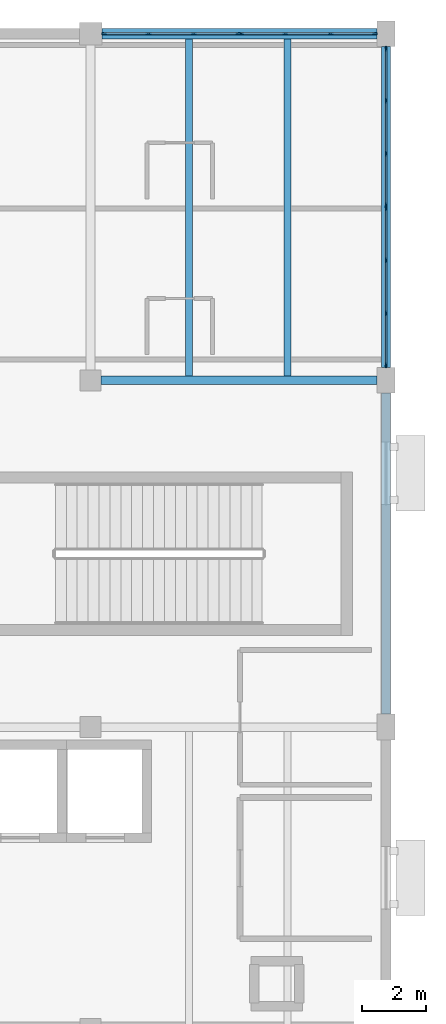
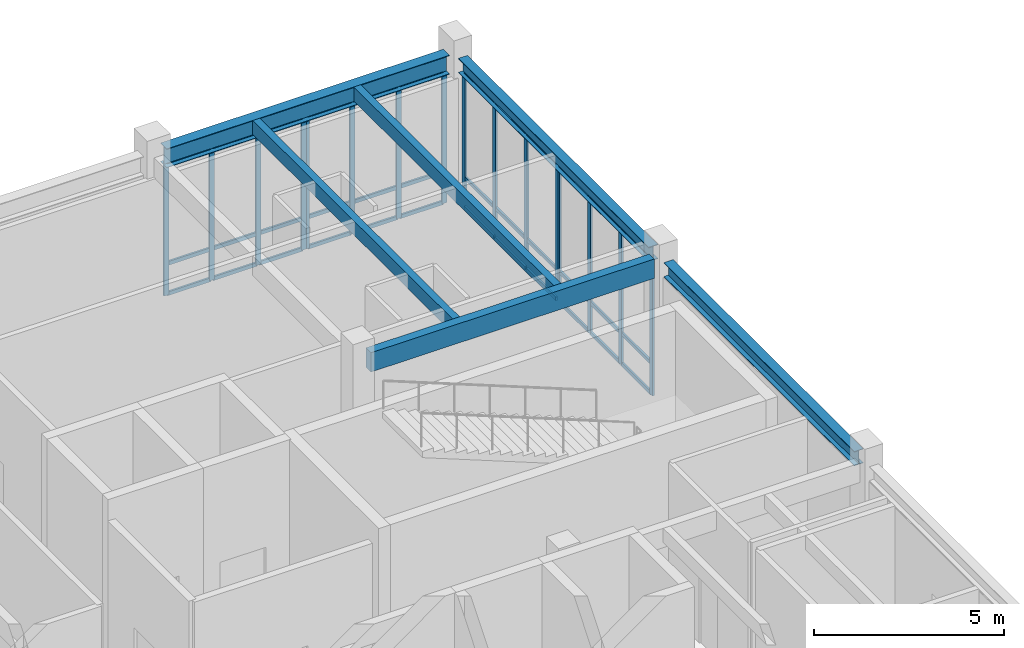
# One storey, part 32 of 68: 52 members, 6 beams, 4 elements without a shape of their own.
"""IFC4 building model written with IfcOpenShell, lengths in metres."""

from ifc_helpers import new_model, si_unit, direction, frame, origin, origin_2d, place, context, subcontext, project, spatial, rectangle, i_section, extrude, material, material_profile, profile_set, type_object, element, aggregate, save


model = new_model("IFC4")

# Units and contexts
model_context = context("Model", 3, precision=1e-05, world=origin(), true_north=direction((0.0, 1.0)))
body_context = subcontext(model_context, "Body", "Model", "MODEL_VIEW")
ifc_project = project(units=[si_unit("LENGTHUNIT", "METRE"), si_unit("AREAUNIT", "SQUARE_METRE"), si_unit("VOLUMEUNIT", "CUBIC_METRE"), si_unit("PLANEANGLEUNIT", "RADIAN"), si_unit("MASSUNIT", "GRAM", prefix="KILO")], contexts=[model_context])

# Site, building, storey
site_placement = place(None, origin())
site = spatial("IfcSite", under=ifc_project, at=site_placement, CompositionType="ELEMENT")
building_placement = place(site_placement, origin())
building = spatial("IfcBuilding", under=site, at=building_placement, Name="Veldera Park Congress Hotel", CompositionType="ELEMENT")
storey_placement = place(building_placement, frame((0.0, 0.0, 10.800048828125)))
storey = spatial("IfcBuildingStorey", under=building, at=storey_placement, Name="L02", CompositionType="ELEMENT", Elevation=10.800048828125)

# Beam
ifc_material_1 = material(Name="Glulam GL28h (NDS 24F-V4)", Category="wood")
ifc_material_profile_1 = material_profile(ifc_material_1, rectangle(XDim=0.264892578125, YDim=0.6201171875, at=origin_2d()), Name="GL28h 265x620")
ifc_profile_set_1 = profile_set([ifc_material_profile_1], Name="Glulam GL28h (NDS 24F-V4)")
beam_type_1 = type_object("IfcBeamType", Name="BM-GL620", PredefinedType="BEAM", material=ifc_profile_set_1)
beam_1_placement = place(storey_placement, frame((75.125, 47.199951171875, 4.489990234375), z_axis=(1.0, 0.0, 0.0), x_axis=(0.0, 1.0, 0.0)))
element("IfcBeam", 1, at=beam_1_placement, inside=storey, type_object=beam_type_1, Name="L02 Girder BM-GL620 910", PredefinedType="BEAM", context=body_context, shape_type="SweptSolid", body=[
    extrude(rectangle(XDim=0.264892578125, YDim=0.6201171875, at=origin_2d()), origin(), (0.0, 0.0, 1.0), 8.60009765625),
])

# Curtain wall, members
ifc_material_2 = material(Name="Low-E Triple Insulating Glass Unit (SHGC 0.22)", Category="glass")
curtain_wall_type = type_object("IfcCurtainWallType", Name="CW-HTL", PredefinedType="NOTDEFINED", material=ifc_material_2)
curtain_wall_1_placement = place(storey_placement, origin())
curtain_wall_1 = element("IfcCurtainWall", 2, at=curtain_wall_1_placement, inside=storey, type_object=curtain_wall_type, Name="L02 Curtain Wall CW3-HTLNE-L02-092", PredefinedType="NOTDEFINED")
ifc_material_3 = material(Name="Anodised Aluminium Alloy 6063-T6", Category="aluminium")
ifc_material_profile_2 = material_profile(ifc_material_3, rectangle(XDim=0.06005859375, YDim=0.159912109375, at=origin_2d()), Name="ALU 60x160")
ifc_profile_set_2 = profile_set([ifc_material_profile_2], Name="Anodised Aluminium Alloy 6063-T6")
member_type_1 = type_object("IfcMemberType", Name="CWM-160", PredefinedType="MULLION", material=ifc_profile_set_2)
member_1_placement = place(storey_placement, frame((84.0, 47.669921875, 0.0), z_axis=(0.0, 0.0, 1.0), x_axis=(-1.0, 0.0, 0.0)))
member_1 = element("IfcMember", 3, at=member_1_placement, type_object=member_type_1, Name="CW-HTL mullion 1", PredefinedType="MULLION", context=body_context, shape_type="SweptSolid", body=[
    extrude(rectangle(XDim=0.06005859375, YDim=0.159912109375, at=origin_2d()), origin(), (0.0, 0.0, 1.0), 4.33203125),
])
member_2_placement = place(storey_placement, frame((84.0, 49.288330078125, 0.0), z_axis=(0.0, 0.0, 1.0), x_axis=(-1.0, 0.0, 0.0)))
member_2 = element("IfcMember", 4, at=member_2_placement, type_object=member_type_1, Name="CW-HTL mullion 2", PredefinedType="MULLION", context=body_context, shape_type="SweptSolid", body=[
    extrude(rectangle(XDim=0.06005859375, YDim=0.159912109375, at=origin_2d()), origin(), (0.0, 0.0, 1.0), 4.33203125),
])
member_3_placement = place(storey_placement, frame((84.0, 50.936767578125, 0.0), z_axis=(0.0, 0.0, 1.0), x_axis=(-1.0, 0.0, 0.0)))
member_3 = element("IfcMember", 5, at=member_3_placement, type_object=member_type_1, Name="CW-HTL mullion 3", PredefinedType="MULLION", context=body_context, shape_type="SweptSolid", body=[
    extrude(rectangle(XDim=0.06005859375, YDim=0.159912109375, at=origin_2d()), origin(), (0.0, 0.0, 1.0), 4.33203125),
])
member_4_placement = place(storey_placement, frame((84.0, 52.554931640625, 0.0), z_axis=(0.0, 0.0, 1.0), x_axis=(-1.0, 0.0, 0.0)))
member_4 = element("IfcMember", 6, at=member_4_placement, type_object=member_type_1, Name="CW-HTL mullion 4", PredefinedType="MULLION", context=body_context, shape_type="SweptSolid", body=[
    extrude(rectangle(XDim=0.06005859375, YDim=0.159912109375, at=origin_2d()), origin(), (0.0, 0.0, 1.0), 4.33203125),
])

curtain_wall_2_placement = place(storey_placement, origin())
curtain_wall_2 = element("IfcCurtainWall", 7, at=curtain_wall_2_placement, inside=storey, type_object=curtain_wall_type, Name="L02 Curtain Wall CW3-HTLNE-L02-093", PredefinedType="NOTDEFINED")
member_5_placement = place(storey_placement, frame((84.0, 52.64501953125, 0.0), z_axis=(0.0, 0.0, 1.0), x_axis=(-1.0, 0.0, 0.0)))
member_5 = element("IfcMember", 8, at=member_5_placement, type_object=member_type_1, Name="CW-HTL mullion 1", PredefinedType="MULLION", context=body_context, shape_type="SweptSolid", body=[
    extrude(rectangle(XDim=0.06005859375, YDim=0.159912109375, at=origin_2d()), origin(), (0.0, 0.0, 1.0), 4.33203125),
])
member_6_placement = place(storey_placement, frame((84.0, 54.263427734375, 0.0), z_axis=(0.0, 0.0, 1.0), x_axis=(-1.0, 0.0, 0.0)))
member_6 = element("IfcMember", 9, at=member_6_placement, type_object=member_type_1, Name="CW-HTL mullion 2", PredefinedType="MULLION", context=body_context, shape_type="SweptSolid", body=[
    extrude(rectangle(XDim=0.06005859375, YDim=0.159912109375, at=origin_2d()), origin(), (0.0, 0.0, 1.0), 4.33203125),
])
member_7_placement = place(storey_placement, frame((84.0, 55.91162109375, 0.0), z_axis=(0.0, 0.0, 1.0), x_axis=(-1.0, 0.0, 0.0)))
member_7 = element("IfcMember", 10, at=member_7_placement, type_object=member_type_1, Name="CW-HTL mullion 3", PredefinedType="MULLION", context=body_context, shape_type="SweptSolid", body=[
    extrude(rectangle(XDim=0.06005859375, YDim=0.159912109375, at=origin_2d()), origin(), (0.0, 0.0, 1.0), 4.33203125),
])
member_8_placement = place(storey_placement, frame((84.0, 57.530029296875, 0.0), z_axis=(0.0, 0.0, 1.0), x_axis=(-1.0, 0.0, 0.0)))
member_8 = element("IfcMember", 11, at=member_8_placement, type_object=member_type_1, Name="CW-HTL mullion 4", PredefinedType="MULLION", context=body_context, shape_type="SweptSolid", body=[
    extrude(rectangle(XDim=0.06005859375, YDim=0.159912109375, at=origin_2d()), origin(), (0.0, 0.0, 1.0), 4.33203125),
])

curtain_wall_3_placement = place(storey_placement, origin())
curtain_wall_3 = element("IfcCurtainWall", 12, at=curtain_wall_3_placement, inside=storey, type_object=curtain_wall_type, Name="L02 Curtain Wall CW3-HTLNN-L02-094", PredefinedType="NOTDEFINED")
member_9_placement = place(storey_placement, frame((83.655029296875, 58.0, 0.0), z_axis=(0.0, 0.0, 1.0), x_axis=(0.0, -1.0, 0.0)))
member_9 = element("IfcMember", 13, at=member_9_placement, type_object=member_type_1, Name="CW-HTL mullion 1", PredefinedType="MULLION", context=body_context, shape_type="SweptSolid", body=[
    extrude(rectangle(XDim=0.06005859375, YDim=0.159912109375, at=origin_2d()), origin(), (0.0, 0.0, 1.0), 4.182861328125),
])
member_10_placement = place(storey_placement, frame((82.274169921875, 58.0, 0.0), z_axis=(0.0, 0.0, 1.0), x_axis=(0.0, -1.0, 0.0)))
member_10 = element("IfcMember", 14, at=member_10_placement, type_object=member_type_1, Name="CW-HTL mullion 2", PredefinedType="MULLION", context=body_context, shape_type="SweptSolid", body=[
    extrude(rectangle(XDim=0.06005859375, YDim=0.159912109375, at=origin_2d()), origin(), (0.0, 0.0, 1.0), 4.182861328125),
])
member_11_placement = place(storey_placement, frame((80.86328125, 58.0, 0.0), z_axis=(0.0, 0.0, 1.0), x_axis=(0.0, -1.0, 0.0)))
member_11 = element("IfcMember", 15, at=member_11_placement, type_object=member_type_1, Name="CW-HTL mullion 3", PredefinedType="MULLION", context=body_context, shape_type="SweptSolid", body=[
    extrude(rectangle(XDim=0.06005859375, YDim=0.159912109375, at=origin_2d()), origin(), (0.0, 0.0, 1.0), 4.182861328125),
])
member_12_placement = place(storey_placement, frame((79.482421875, 58.0, 0.0), z_axis=(0.0, 0.0, 1.0), x_axis=(0.0, -1.0, 0.0)))
member_12 = element("IfcMember", 16, at=member_12_placement, type_object=member_type_1, Name="CW-HTL mullion 4", PredefinedType="MULLION", context=body_context, shape_type="SweptSolid", body=[
    extrude(rectangle(XDim=0.06005859375, YDim=0.159912109375, at=origin_2d()), origin(), (0.0, 0.0, 1.0), 4.182861328125),
])

curtain_wall_4_placement = place(storey_placement, origin())
curtain_wall_4 = element("IfcCurtainWall", 17, at=curtain_wall_4_placement, inside=storey, type_object=curtain_wall_type, Name="L02 Curtain Wall CW3-HTLNN-L02-095", PredefinedType="NOTDEFINED")
member_13_placement = place(storey_placement, frame((79.392578125, 58.0, 0.0), z_axis=(0.0, 0.0, 1.0), x_axis=(0.0, -1.0, 0.0)))
member_13 = element("IfcMember", 18, at=member_13_placement, type_object=member_type_1, Name="CW-HTL mullion 1", PredefinedType="MULLION", context=body_context, shape_type="SweptSolid", body=[
    extrude(rectangle(XDim=0.06005859375, YDim=0.159912109375, at=origin_2d()), origin(), (0.0, 0.0, 1.0), 4.182861328125),
])
member_14_placement = place(storey_placement, frame((78.01171875, 58.0, 0.0), z_axis=(0.0, 0.0, 1.0), x_axis=(0.0, -1.0, 0.0)))
member_14 = element("IfcMember", 19, at=member_14_placement, type_object=member_type_1, Name="CW-HTL mullion 2", PredefinedType="MULLION", context=body_context, shape_type="SweptSolid", body=[
    extrude(rectangle(XDim=0.06005859375, YDim=0.159912109375, at=origin_2d()), origin(), (0.0, 0.0, 1.0), 4.182861328125),
])
member_15_placement = place(storey_placement, frame((76.600830078125, 58.0, 0.0), z_axis=(0.0, 0.0, 1.0), x_axis=(0.0, -1.0, 0.0)))
member_15 = element("IfcMember", 20, at=member_15_placement, type_object=member_type_1, Name="CW-HTL mullion 3", PredefinedType="MULLION", context=body_context, shape_type="SweptSolid", body=[
    extrude(rectangle(XDim=0.06005859375, YDim=0.159912109375, at=origin_2d()), origin(), (0.0, 0.0, 1.0), 4.182861328125),
])
member_16_placement = place(storey_placement, frame((75.219970703125, 58.0, 0.0), z_axis=(0.0, 0.0, 1.0), x_axis=(0.0, -1.0, 0.0)))
member_16 = element("IfcMember", 21, at=member_16_placement, type_object=member_type_1, Name="CW-HTL mullion 4", PredefinedType="MULLION", context=body_context, shape_type="SweptSolid", body=[
    extrude(rectangle(XDim=0.06005859375, YDim=0.159912109375, at=origin_2d()), origin(), (0.0, 0.0, 1.0), 4.182861328125),
])

# Member
ifc_material_profile_3 = material_profile(ifc_material_3, rectangle(XDim=0.06005859375, YDim=0.1201171875, at=origin_2d()), Name="ALU 60x120")
ifc_profile_set_3 = profile_set([ifc_material_profile_3], Name="Anodised Aluminium Alloy 6063-T6")
member_type_2 = type_object("IfcMemberType", Name="CWT-120", PredefinedType="USERDEFINED", material=ifc_profile_set_3)
member_17_placement = place(storey_placement, frame((84.0, 47.699951171875, 0.030029296875), z_axis=(0.0, 1.0, 0.0), x_axis=(-1.0, 0.0, 0.0)))
member_17 = element("IfcMember", 22, at=member_17_placement, type_object=member_type_2, Name="CW-HTL transom 1.1", ObjectType="TRANSOM", PredefinedType="USERDEFINED", context=body_context, shape_type="SweptSolid", body=[
    extrude(rectangle(XDim=0.06005859375, YDim=0.1201171875, at=origin_2d()), origin(), (0.0, 0.0, 1.0), 1.558349609375),
])

member_18_placement = place(storey_placement, frame((84.0, 47.699951171875, 1.0), z_axis=(0.0, 1.0, 0.0), x_axis=(-1.0, 0.0, 0.0)))
member_18 = element("IfcMember", 23, at=member_18_placement, type_object=member_type_2, Name="CW-HTL transom 1.2", ObjectType="TRANSOM", PredefinedType="USERDEFINED", context=body_context, shape_type="SweptSolid", body=[
    extrude(rectangle(XDim=0.06005859375, YDim=0.1201171875, at=origin_2d()), origin(), (0.0, 0.0, 1.0), 1.558349609375),
])

member_19_placement = place(storey_placement, frame((84.0, 47.699951171875, 4.302001953125), z_axis=(0.0, 1.0, 0.0), x_axis=(-1.0, 0.0, 0.0)))
member_19 = element("IfcMember", 24, at=member_19_placement, type_object=member_type_2, Name="CW-HTL transom 1.3", ObjectType="TRANSOM", PredefinedType="USERDEFINED", context=body_context, shape_type="SweptSolid", body=[
    extrude(rectangle(XDim=0.06005859375, YDim=0.1201171875, at=origin_2d()), origin(), (0.0, 0.0, 1.0), 1.558349609375),
])

member_20_placement = place(storey_placement, frame((84.0, 49.318359375, 0.030029296875), z_axis=(0.0, 1.0, 0.0), x_axis=(-1.0, 0.0, 0.0)))
member_20 = element("IfcMember", 25, at=member_20_placement, type_object=member_type_2, Name="CW-HTL transom 2.1", ObjectType="TRANSOM", PredefinedType="USERDEFINED", context=body_context, shape_type="SweptSolid", body=[
    extrude(rectangle(XDim=0.06005859375, YDim=0.1201171875, at=origin_2d()), origin(), (0.0, 0.0, 1.0), 1.58837890625),
])

member_21_placement = place(storey_placement, frame((84.0, 49.318359375, 1.0), z_axis=(0.0, 1.0, 0.0), x_axis=(-1.0, 0.0, 0.0)))
member_21 = element("IfcMember", 26, at=member_21_placement, type_object=member_type_2, Name="CW-HTL transom 2.2", ObjectType="TRANSOM", PredefinedType="USERDEFINED", context=body_context, shape_type="SweptSolid", body=[
    extrude(rectangle(XDim=0.06005859375, YDim=0.1201171875, at=origin_2d()), origin(), (0.0, 0.0, 1.0), 1.58837890625),
])

member_22_placement = place(storey_placement, frame((84.0, 49.318359375, 4.302001953125), z_axis=(0.0, 1.0, 0.0), x_axis=(-1.0, 0.0, 0.0)))
member_22 = element("IfcMember", 27, at=member_22_placement, type_object=member_type_2, Name="CW-HTL transom 2.3", ObjectType="TRANSOM", PredefinedType="USERDEFINED", context=body_context, shape_type="SweptSolid", body=[
    extrude(rectangle(XDim=0.06005859375, YDim=0.1201171875, at=origin_2d()), origin(), (0.0, 0.0, 1.0), 1.58837890625),
])

member_23_placement = place(storey_placement, frame((84.0, 50.966552734375, 0.030029296875), z_axis=(0.0, 1.0, 0.0), x_axis=(-1.0, 0.0, 0.0)))
member_23 = element("IfcMember", 28, at=member_23_placement, type_object=member_type_2, Name="CW-HTL transom 3.1", ObjectType="TRANSOM", PredefinedType="USERDEFINED", context=body_context, shape_type="SweptSolid", body=[
    extrude(rectangle(XDim=0.06005859375, YDim=0.1201171875, at=origin_2d()), origin(), (0.0, 0.0, 1.0), 1.558349609375),
])

member_24_placement = place(storey_placement, frame((84.0, 50.966552734375, 1.0), z_axis=(0.0, 1.0, 0.0), x_axis=(-1.0, 0.0, 0.0)))
member_24 = element("IfcMember", 29, at=member_24_placement, type_object=member_type_2, Name="CW-HTL transom 3.2", ObjectType="TRANSOM", PredefinedType="USERDEFINED", context=body_context, shape_type="SweptSolid", body=[
    extrude(rectangle(XDim=0.06005859375, YDim=0.1201171875, at=origin_2d()), origin(), (0.0, 0.0, 1.0), 1.558349609375),
])

member_25_placement = place(storey_placement, frame((84.0, 50.966552734375, 4.302001953125), z_axis=(0.0, 1.0, 0.0), x_axis=(-1.0, 0.0, 0.0)))
member_25 = element("IfcMember", 30, at=member_25_placement, type_object=member_type_2, Name="CW-HTL transom 3.3", ObjectType="TRANSOM", PredefinedType="USERDEFINED", context=body_context, shape_type="SweptSolid", body=[
    extrude(rectangle(XDim=0.06005859375, YDim=0.1201171875, at=origin_2d()), origin(), (0.0, 0.0, 1.0), 1.558349609375),
])

aggregate(curtain_wall_1, [member_1, member_2, member_3, member_4, member_17, member_18, member_19, member_20, member_21, member_22, member_23, member_24, member_25])

member_26_placement = place(storey_placement, frame((84.0, 52.675048828125, 0.030029296875), z_axis=(0.0, 1.0, 0.0), x_axis=(-1.0, 0.0, 0.0)))
member_26 = element("IfcMember", 31, at=member_26_placement, type_object=member_type_2, Name="CW-HTL transom 1.1", ObjectType="TRANSOM", PredefinedType="USERDEFINED", context=body_context, shape_type="SweptSolid", body=[
    extrude(rectangle(XDim=0.06005859375, YDim=0.1201171875, at=origin_2d()), origin(), (0.0, 0.0, 1.0), 1.558349609375),
])

member_27_placement = place(storey_placement, frame((84.0, 52.675048828125, 1.0), z_axis=(0.0, 1.0, 0.0), x_axis=(-1.0, 0.0, 0.0)))
member_27 = element("IfcMember", 32, at=member_27_placement, type_object=member_type_2, Name="CW-HTL transom 1.2", ObjectType="TRANSOM", PredefinedType="USERDEFINED", context=body_context, shape_type="SweptSolid", body=[
    extrude(rectangle(XDim=0.06005859375, YDim=0.1201171875, at=origin_2d()), origin(), (0.0, 0.0, 1.0), 1.558349609375),
])

member_28_placement = place(storey_placement, frame((84.0, 52.675048828125, 4.302001953125), z_axis=(0.0, 1.0, 0.0), x_axis=(-1.0, 0.0, 0.0)))
member_28 = element("IfcMember", 33, at=member_28_placement, type_object=member_type_2, Name="CW-HTL transom 1.3", ObjectType="TRANSOM", PredefinedType="USERDEFINED", context=body_context, shape_type="SweptSolid", body=[
    extrude(rectangle(XDim=0.06005859375, YDim=0.1201171875, at=origin_2d()), origin(), (0.0, 0.0, 1.0), 1.558349609375),
])

member_29_placement = place(storey_placement, frame((84.0, 54.293212890625, 0.030029296875), z_axis=(0.0, 1.0, 0.0), x_axis=(-1.0, 0.0, 0.0)))
member_29 = element("IfcMember", 34, at=member_29_placement, type_object=member_type_2, Name="CW-HTL transom 2.1", ObjectType="TRANSOM", PredefinedType="USERDEFINED", context=body_context, shape_type="SweptSolid", body=[
    extrude(rectangle(XDim=0.06005859375, YDim=0.1201171875, at=origin_2d()), origin(), (0.0, 0.0, 1.0), 1.58837890625),
])

member_30_placement = place(storey_placement, frame((84.0, 54.293212890625, 1.0), z_axis=(0.0, 1.0, 0.0), x_axis=(-1.0, 0.0, 0.0)))
member_30 = element("IfcMember", 35, at=member_30_placement, type_object=member_type_2, Name="CW-HTL transom 2.2", ObjectType="TRANSOM", PredefinedType="USERDEFINED", context=body_context, shape_type="SweptSolid", body=[
    extrude(rectangle(XDim=0.06005859375, YDim=0.1201171875, at=origin_2d()), origin(), (0.0, 0.0, 1.0), 1.58837890625),
])

member_31_placement = place(storey_placement, frame((84.0, 54.293212890625, 4.302001953125), z_axis=(0.0, 1.0, 0.0), x_axis=(-1.0, 0.0, 0.0)))
member_31 = element("IfcMember", 36, at=member_31_placement, type_object=member_type_2, Name="CW-HTL transom 2.3", ObjectType="TRANSOM", PredefinedType="USERDEFINED", context=body_context, shape_type="SweptSolid", body=[
    extrude(rectangle(XDim=0.06005859375, YDim=0.1201171875, at=origin_2d()), origin(), (0.0, 0.0, 1.0), 1.58837890625),
])

member_32_placement = place(storey_placement, frame((84.0, 55.941650390625, 0.030029296875), z_axis=(0.0, 1.0, 0.0), x_axis=(-1.0, 0.0, 0.0)))
member_32 = element("IfcMember", 37, at=member_32_placement, type_object=member_type_2, Name="CW-HTL transom 3.1", ObjectType="TRANSOM", PredefinedType="USERDEFINED", context=body_context, shape_type="SweptSolid", body=[
    extrude(rectangle(XDim=0.06005859375, YDim=0.1201171875, at=origin_2d()), origin(), (0.0, 0.0, 1.0), 1.558349609375),
])

member_33_placement = place(storey_placement, frame((84.0, 55.941650390625, 1.0), z_axis=(0.0, 1.0, 0.0), x_axis=(-1.0, 0.0, 0.0)))
member_33 = element("IfcMember", 38, at=member_33_placement, type_object=member_type_2, Name="CW-HTL transom 3.2", ObjectType="TRANSOM", PredefinedType="USERDEFINED", context=body_context, shape_type="SweptSolid", body=[
    extrude(rectangle(XDim=0.06005859375, YDim=0.1201171875, at=origin_2d()), origin(), (0.0, 0.0, 1.0), 1.558349609375),
])

member_34_placement = place(storey_placement, frame((84.0, 55.941650390625, 4.302001953125), z_axis=(0.0, 1.0, 0.0), x_axis=(-1.0, 0.0, 0.0)))
member_34 = element("IfcMember", 39, at=member_34_placement, type_object=member_type_2, Name="CW-HTL transom 3.3", ObjectType="TRANSOM", PredefinedType="USERDEFINED", context=body_context, shape_type="SweptSolid", body=[
    extrude(rectangle(XDim=0.06005859375, YDim=0.1201171875, at=origin_2d()), origin(), (0.0, 0.0, 1.0), 1.558349609375),
])

aggregate(curtain_wall_2, [member_5, member_6, member_7, member_8, member_26, member_27, member_28, member_29, member_30, member_31, member_32, member_33, member_34])

member_35_placement = place(storey_placement, frame((83.625, 58.0, 0.030029296875), z_axis=(-1.0, 0.0, 0.0), x_axis=(0.0, -1.0, 0.0)))
member_35 = element("IfcMember", 40, at=member_35_placement, type_object=member_type_2, Name="CW-HTL transom 1.1", ObjectType="TRANSOM", PredefinedType="USERDEFINED", context=body_context, shape_type="SweptSolid", body=[
    extrude(rectangle(XDim=0.06005859375, YDim=0.1201171875, at=origin_2d()), origin(), (0.0, 0.0, 1.0), 1.32080078125),
])

member_36_placement = place(storey_placement, frame((83.625, 58.0, 1.0), z_axis=(-1.0, 0.0, 0.0), x_axis=(0.0, -1.0, 0.0)))
member_36 = element("IfcMember", 41, at=member_36_placement, type_object=member_type_2, Name="CW-HTL transom 1.2", ObjectType="TRANSOM", PredefinedType="USERDEFINED", context=body_context, shape_type="SweptSolid", body=[
    extrude(rectangle(XDim=0.06005859375, YDim=0.1201171875, at=origin_2d()), origin(), (0.0, 0.0, 1.0), 1.32080078125),
])

member_37_placement = place(storey_placement, frame((83.625, 58.0, 4.15283203125), z_axis=(-1.0, 0.0, 0.0), x_axis=(0.0, -1.0, 0.0)))
member_37 = element("IfcMember", 42, at=member_37_placement, type_object=member_type_2, Name="CW-HTL transom 1.3", ObjectType="TRANSOM", PredefinedType="USERDEFINED", context=body_context, shape_type="SweptSolid", body=[
    extrude(rectangle(XDim=0.06005859375, YDim=0.1201171875, at=origin_2d()), origin(), (0.0, 0.0, 1.0), 1.32080078125),
])

member_38_placement = place(storey_placement, frame((82.244140625, 58.0, 0.030029296875), z_axis=(-1.0, 0.0, 0.0), x_axis=(0.0, -1.0, 0.0)))
member_38 = element("IfcMember", 43, at=member_38_placement, type_object=member_type_2, Name="CW-HTL transom 2.1", ObjectType="TRANSOM", PredefinedType="USERDEFINED", context=body_context, shape_type="SweptSolid", body=[
    extrude(rectangle(XDim=0.06005859375, YDim=0.1201171875, at=origin_2d()), origin(), (0.0, 0.0, 1.0), 1.350830078125),
])

member_39_placement = place(storey_placement, frame((82.244140625, 58.0, 1.0), z_axis=(-1.0, 0.0, 0.0), x_axis=(0.0, -1.0, 0.0)))
member_39 = element("IfcMember", 44, at=member_39_placement, type_object=member_type_2, Name="CW-HTL transom 2.2", ObjectType="TRANSOM", PredefinedType="USERDEFINED", context=body_context, shape_type="SweptSolid", body=[
    extrude(rectangle(XDim=0.06005859375, YDim=0.1201171875, at=origin_2d()), origin(), (0.0, 0.0, 1.0), 1.350830078125),
])

member_40_placement = place(storey_placement, frame((82.244140625, 58.0, 4.15283203125), z_axis=(-1.0, 0.0, 0.0), x_axis=(0.0, -1.0, 0.0)))
member_40 = element("IfcMember", 45, at=member_40_placement, type_object=member_type_2, Name="CW-HTL transom 2.3", ObjectType="TRANSOM", PredefinedType="USERDEFINED", context=body_context, shape_type="SweptSolid", body=[
    extrude(rectangle(XDim=0.06005859375, YDim=0.1201171875, at=origin_2d()), origin(), (0.0, 0.0, 1.0), 1.350830078125),
])

member_41_placement = place(storey_placement, frame((80.833251953125, 58.0, 0.030029296875), z_axis=(-1.0, 0.0, 0.0), x_axis=(0.0, -1.0, 0.0)))
member_41 = element("IfcMember", 46, at=member_41_placement, type_object=member_type_2, Name="CW-HTL transom 3.1", ObjectType="TRANSOM", PredefinedType="USERDEFINED", context=body_context, shape_type="SweptSolid", body=[
    extrude(rectangle(XDim=0.06005859375, YDim=0.1201171875, at=origin_2d()), origin(), (0.0, 0.0, 1.0), 1.32080078125),
])

member_42_placement = place(storey_placement, frame((80.833251953125, 58.0, 1.0), z_axis=(-1.0, 0.0, 0.0), x_axis=(0.0, -1.0, 0.0)))
member_42 = element("IfcMember", 47, at=member_42_placement, type_object=member_type_2, Name="CW-HTL transom 3.2", ObjectType="TRANSOM", PredefinedType="USERDEFINED", context=body_context, shape_type="SweptSolid", body=[
    extrude(rectangle(XDim=0.06005859375, YDim=0.1201171875, at=origin_2d()), origin(), (0.0, 0.0, 1.0), 1.32080078125),
])

member_43_placement = place(storey_placement, frame((80.833251953125, 58.0, 4.15283203125), z_axis=(-1.0, 0.0, 0.0), x_axis=(0.0, -1.0, 0.0)))
member_43 = element("IfcMember", 48, at=member_43_placement, type_object=member_type_2, Name="CW-HTL transom 3.3", ObjectType="TRANSOM", PredefinedType="USERDEFINED", context=body_context, shape_type="SweptSolid", body=[
    extrude(rectangle(XDim=0.06005859375, YDim=0.1201171875, at=origin_2d()), origin(), (0.0, 0.0, 1.0), 1.32080078125),
])

aggregate(curtain_wall_3, [member_9, member_10, member_11, member_12, member_35, member_36, member_37, member_38, member_39, member_40, member_41, member_42, member_43])

member_44_placement = place(storey_placement, frame((79.362548828125, 58.0, 0.030029296875), z_axis=(-1.0, 0.0, 0.0), x_axis=(0.0, -1.0, 0.0)))
member_44 = element("IfcMember", 49, at=member_44_placement, type_object=member_type_2, Name="CW-HTL transom 1.1", ObjectType="TRANSOM", PredefinedType="USERDEFINED", context=body_context, shape_type="SweptSolid", body=[
    extrude(rectangle(XDim=0.06005859375, YDim=0.1201171875, at=origin_2d()), origin(), (0.0, 0.0, 1.0), 1.32080078125),
])

member_45_placement = place(storey_placement, frame((79.362548828125, 58.0, 1.0), z_axis=(-1.0, 0.0, 0.0), x_axis=(0.0, -1.0, 0.0)))
member_45 = element("IfcMember", 50, at=member_45_placement, type_object=member_type_2, Name="CW-HTL transom 1.2", ObjectType="TRANSOM", PredefinedType="USERDEFINED", context=body_context, shape_type="SweptSolid", body=[
    extrude(rectangle(XDim=0.06005859375, YDim=0.1201171875, at=origin_2d()), origin(), (0.0, 0.0, 1.0), 1.32080078125),
])

member_46_placement = place(storey_placement, frame((79.362548828125, 58.0, 4.15283203125), z_axis=(-1.0, 0.0, 0.0), x_axis=(0.0, -1.0, 0.0)))
member_46 = element("IfcMember", 51, at=member_46_placement, type_object=member_type_2, Name="CW-HTL transom 1.3", ObjectType="TRANSOM", PredefinedType="USERDEFINED", context=body_context, shape_type="SweptSolid", body=[
    extrude(rectangle(XDim=0.06005859375, YDim=0.1201171875, at=origin_2d()), origin(), (0.0, 0.0, 1.0), 1.32080078125),
])

member_47_placement = place(storey_placement, frame((77.981689453125, 58.0, 0.030029296875), z_axis=(-1.0, 0.0, 0.0), x_axis=(0.0, -1.0, 0.0)))
member_47 = element("IfcMember", 52, at=member_47_placement, type_object=member_type_2, Name="CW-HTL transom 2.1", ObjectType="TRANSOM", PredefinedType="USERDEFINED", context=body_context, shape_type="SweptSolid", body=[
    extrude(rectangle(XDim=0.06005859375, YDim=0.1201171875, at=origin_2d()), origin(), (0.0, 0.0, 1.0), 1.350830078125),
])

member_48_placement = place(storey_placement, frame((77.981689453125, 58.0, 1.0), z_axis=(-1.0, 0.0, 0.0), x_axis=(0.0, -1.0, 0.0)))
member_48 = element("IfcMember", 53, at=member_48_placement, type_object=member_type_2, Name="CW-HTL transom 2.2", ObjectType="TRANSOM", PredefinedType="USERDEFINED", context=body_context, shape_type="SweptSolid", body=[
    extrude(rectangle(XDim=0.06005859375, YDim=0.1201171875, at=origin_2d()), origin(), (0.0, 0.0, 1.0), 1.350830078125),
])

member_49_placement = place(storey_placement, frame((77.981689453125, 58.0, 4.15283203125), z_axis=(-1.0, 0.0, 0.0), x_axis=(0.0, -1.0, 0.0)))
member_49 = element("IfcMember", 54, at=member_49_placement, type_object=member_type_2, Name="CW-HTL transom 2.3", ObjectType="TRANSOM", PredefinedType="USERDEFINED", context=body_context, shape_type="SweptSolid", body=[
    extrude(rectangle(XDim=0.06005859375, YDim=0.1201171875, at=origin_2d()), origin(), (0.0, 0.0, 1.0), 1.350830078125),
])

member_50_placement = place(storey_placement, frame((76.57080078125, 58.0, 0.030029296875), z_axis=(-1.0, 0.0, 0.0), x_axis=(0.0, -1.0, 0.0)))
member_50 = element("IfcMember", 55, at=member_50_placement, type_object=member_type_2, Name="CW-HTL transom 3.1", ObjectType="TRANSOM", PredefinedType="USERDEFINED", context=body_context, shape_type="SweptSolid", body=[
    extrude(rectangle(XDim=0.06005859375, YDim=0.1201171875, at=origin_2d()), origin(), (0.0, 0.0, 1.0), 1.32080078125),
])

member_51_placement = place(storey_placement, frame((76.57080078125, 58.0, 1.0), z_axis=(-1.0, 0.0, 0.0), x_axis=(0.0, -1.0, 0.0)))
member_51 = element("IfcMember", 56, at=member_51_placement, type_object=member_type_2, Name="CW-HTL transom 3.2", ObjectType="TRANSOM", PredefinedType="USERDEFINED", context=body_context, shape_type="SweptSolid", body=[
    extrude(rectangle(XDim=0.06005859375, YDim=0.1201171875, at=origin_2d()), origin(), (0.0, 0.0, 1.0), 1.32080078125),
])

member_52_placement = place(storey_placement, frame((76.57080078125, 58.0, 4.15283203125), z_axis=(-1.0, 0.0, 0.0), x_axis=(0.0, -1.0, 0.0)))
member_52 = element("IfcMember", 57, at=member_52_placement, type_object=member_type_2, Name="CW-HTL transom 3.3", ObjectType="TRANSOM", PredefinedType="USERDEFINED", context=body_context, shape_type="SweptSolid", body=[
    extrude(rectangle(XDim=0.06005859375, YDim=0.1201171875, at=origin_2d()), origin(), (0.0, 0.0, 1.0), 1.32080078125),
])

aggregate(curtain_wall_4, [member_13, member_14, member_15, member_16, member_44, member_45, member_46, member_47, member_48, member_49, member_50, member_51, member_52])

# Beams
ifc_material_profile_4 = material_profile(ifc_material_1, rectangle(XDim=0.215087890625, YDim=0.449951171875, at=origin_2d()), Name="GL28h 215x450")
ifc_profile_set_4 = profile_set([ifc_material_profile_4], Name="Glulam GL28h (NDS 24F-V4)")
beam_type_2 = type_object("IfcBeamType", Name="JST-GL450", PredefinedType="JOIST", material=ifc_profile_set_4)
for number, where, z_axis, x_axis, name in (
    (58, (77.86669921875, 47.33251953125, 4.574951171875), (0.0, 1.0, 0.0), (-1.0, 0.0, 0.0), "L02 Floor Joist JST-GL450 1081"),
    (59, (80.933349609375, 47.33251953125, 4.574951171875), (0.0, 1.0, 0.0), (-1.0, 0.0, 0.0), "L02 Floor Joist JST-GL450 1082"),
):
    element("IfcBeam", number, at=place(storey_placement, frame(where, z_axis=z_axis, x_axis=x_axis)), inside=storey, type_object=beam_type_2, Name=name, PredefinedType="JOIST", context=body_context, shape_type="SweptSolid", body=[
        extrude(rectangle(XDim=0.215087890625, YDim=0.449951171875, at=origin_2d()), origin(), (0.0, 0.0, 1.0), 10.50537109375),
    ])
ifc_material_4 = material(Name="Steel ASTM A992 Gr.50", Category="steel")
ifc_material_profile_5 = material_profile(ifc_material_4, i_section(OverallWidth=0.280029296875, OverallDepth=0.462890625, WebThickness=0.0107421875, FlangeThickness=0.017333984375, at=origin_2d()), Name="W18X76")
ifc_profile_set_5 = profile_set([ifc_material_profile_5], Name="Steel ASTM A992 Gr.50")
beam_type_3 = type_object("IfcBeamType", Name="SPN-W18E", PredefinedType="SPANDREL", material=ifc_profile_set_5)
for number, where, z_axis, x_axis, name in (
    (60, (84.0, 36.800048828125, 4.568359375), (0.0, 1.0, 0.0), (-1.0, 0.0, 0.0), "L02 Girder SPN-W18E 1025"),
    (61, (84.0, 47.60009765625, 4.568359375), (0.0, 1.0, 0.0), (-1.0, 0.0, 0.0), "L02 Girder SPN-W18E 1026"),
):
    element("IfcBeam", number, at=place(storey_placement, frame(where, z_axis=z_axis, x_axis=x_axis)), inside=storey, type_object=beam_type_3, Name=name, PredefinedType="SPANDREL", context=body_context, shape_type="SweptSolid", body=[
        extrude(i_section(OverallWidth=0.280029296875, OverallDepth=0.462890625, WebThickness=0.0107421875, FlangeThickness=0.017333984375, at=origin_2d()), origin(), (0.0, 0.0, 1.0), 10.0),
    ])
ifc_material_profile_6 = material_profile(ifc_material_4, i_section(OverallWidth=0.323974609375, OverallDepth=0.612060546875, WebThickness=0.0126953125, FlangeThickness=0.01904296875, at=origin_2d()), Name="W24X104")
ifc_profile_set_6 = profile_set([ifc_material_profile_6], Name="Steel ASTM A992 Gr.50")
beam_type_4 = type_object("IfcBeamType", Name="SPN-W24E", PredefinedType="SPANDREL", material=ifc_profile_set_6)
beam_2_placement = place(storey_placement, frame((75.14990234375, 58.0, 4.493896484375), z_axis=(1.0, 0.0, 0.0), x_axis=(0.0, 1.0, 0.0)))
element("IfcBeam", 62, at=beam_2_placement, inside=storey, type_object=beam_type_4, Name="L02 Girder SPN-W24E 924", PredefinedType="SPANDREL", context=body_context, shape_type="SweptSolid", body=[
    extrude(i_section(OverallWidth=0.323974609375, OverallDepth=0.612060546875, WebThickness=0.0126953125, FlangeThickness=0.01904296875, at=origin_2d()), origin(), (0.0, 0.0, 1.0), 8.5751953125),
])

save(model, "model.ifc")
